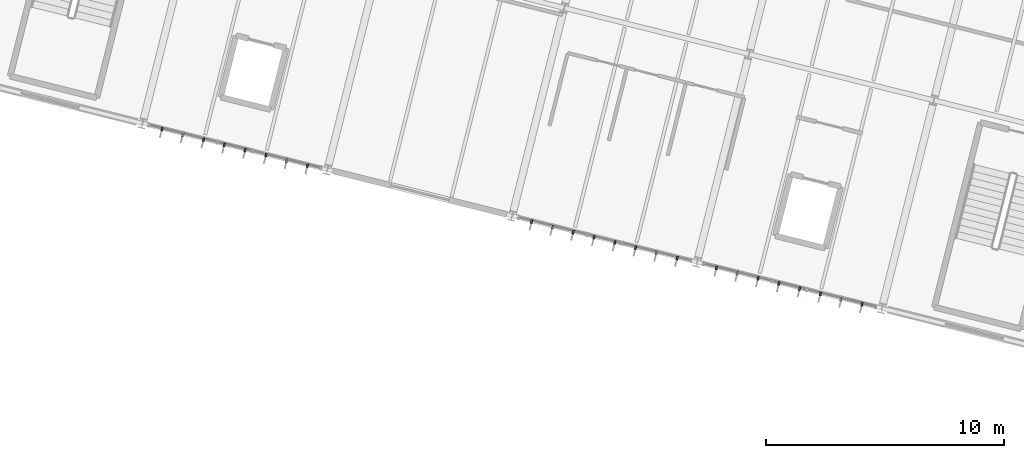
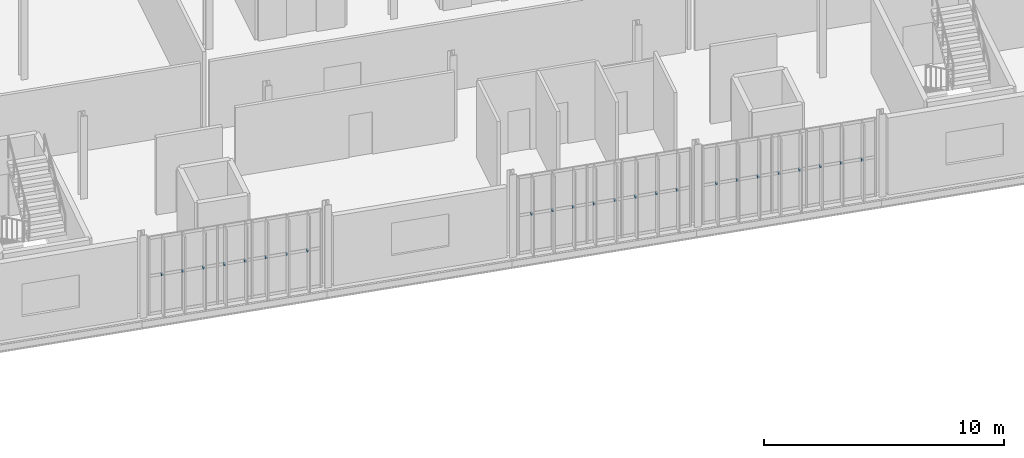
# One storey, part 52 of 61: 24 discrete accessories.
"""IFC4 building model written with IfcOpenShell, lengths in metres."""

from ifc_helpers import new_model, si_unit, derived_unit, direction, frame, origin, origin_2d, place, context, subcontext, project, spatial, rectangle, extrude, material, type_object, element, save


model = new_model("IFC4")

# Units and contexts
model_context = context("Model", 3, precision=1e-05, world=origin(), true_north=direction((0.0, 1.0)))
body_context = subcontext(model_context, "Body", "Model", "MODEL_VIEW")
ifc_project = project(units=[si_unit("LENGTHUNIT", "METRE"), si_unit("AREAUNIT", "SQUARE_METRE"), si_unit("VOLUMEUNIT", "CUBIC_METRE"), si_unit("PLANEANGLEUNIT", "RADIAN"), si_unit("MASSUNIT", "GRAM", prefix="KILO"), si_unit("THERMODYNAMICTEMPERATUREUNIT", "KELVIN"), si_unit("TIMEUNIT", "SECOND"), derived_unit("THERMALTRANSMITTANCEUNIT", [(si_unit("MASSUNIT", "GRAM", prefix="KILO"), 1), (si_unit("THERMODYNAMICTEMPERATUREUNIT", "KELVIN"), -1), (si_unit("TIMEUNIT", "SECOND"), -3)])], contexts=[model_context])

# Site, building, storey
site_placement = place(None, origin())
site = spatial("IfcSite", under=ifc_project, at=site_placement, CompositionType="ELEMENT")
building_placement = place(site_placement, origin())
building = spatial("IfcBuilding", under=site, at=building_placement, Name="Cambertide Market Hall", CompositionType="ELEMENT")
storey_placement = place(building_placement, frame((0.0, 0.0, 9.89990234375)))
storey = spatial("IfcBuildingStorey", under=building, at=storey_placement, Name="L03", CompositionType="ELEMENT", Elevation=9.89990234375)

# Discrete accessories
ifc_material = material(Name="Stainless Steel Grade 316", Category="metal")
discrete_accessory_type = type_object("IfcDiscreteAccessoryType", Name="Stainless Fin Outrigger Tie Bracket", PredefinedType="BRACKET", material=ifc_material)
for number, where, z_axis, x_axis, name in (
    (1, (130.44921875, 94.346435546875, 1.920166015625), (0.0, 0.0, 1.0), (-0.970142531436, 0.242535499875, 0.0), "CW-V4S-L03-3 Fin Tie Bracket 1"),
    (2, (129.575927734375, 94.564697265625, 1.920166015625), (0.0, 0.0, 1.0), (-0.970142531436, 0.242535499875, 0.0), "CW-V4S-L03-3 Fin Tie Bracket 2"),
    (3, (128.702880859375, 94.782958984375, 1.920166015625), (0.0, 0.0, 1.0), (-0.970142531436, 0.242535499875, 0.0), "CW-V4S-L03-3 Fin Tie Bracket 3"),
    (4, (127.829833984375, 95.001220703125, 1.920166015625), (0.0, 0.0, 1.0), (-0.970142531436, 0.242535499875, 0.0), "CW-V4S-L03-3 Fin Tie Bracket 4"),
    (5, (126.95654296875, 95.2197265625, 1.920166015625), (0.0, 0.0, 1.0), (-0.970142531436, 0.242535499875, 0.0), "CW-V4S-L03-3 Fin Tie Bracket 5"),
    (6, (126.08349609375, 95.43798828125, 1.920166015625), (0.0, 0.0, 1.0), (-0.970142531436, 0.242535499875, 0.0), "CW-V4S-L03-3 Fin Tie Bracket 6"),
    (7, (125.21044921875, 95.65625, 1.920166015625), (0.0, 0.0, 1.0), (-0.970142531436, 0.242535499875, 0.0), "CW-V4S-L03-3 Fin Tie Bracket 7"),
    (8, (124.337158203125, 95.87451171875, 1.920166015625), (0.0, 0.0, 1.0), (-0.970142531436, 0.242535499875, 0.0), "CW-V4S-L03-3 Fin Tie Bracket 8"),
    (9, (145.971435546875, 90.4658203125, 1.920166015625), (0.0, 0.0, 1.0), (-0.970142531436, 0.242535499875, 0.0), "CW-V4S-L03-5 Fin Tie Bracket 1"),
    (10, (145.09814453125, 90.684326171875, 1.920166015625), (0.0, 0.0, 1.0), (-0.970142531436, 0.242535499875, 0.0), "CW-V4S-L03-5 Fin Tie Bracket 2"),
    (11, (144.22509765625, 90.902587890625, 1.920166015625), (0.0, 0.0, 1.0), (-0.970142531436, 0.242535499875, 0.0), "CW-V4S-L03-5 Fin Tie Bracket 3"),
    (12, (143.35205078125, 91.120849609375, 1.920166015625), (0.0, 0.0, 1.0), (-0.970142531436, 0.242535499875, 0.0), "CW-V4S-L03-5 Fin Tie Bracket 4"),
    (13, (142.478759765625, 91.339111328125, 1.920166015625), (0.0, 0.0, 1.0), (-0.970142531436, 0.242535499875, 0.0), "CW-V4S-L03-5 Fin Tie Bracket 5"),
    (14, (141.605712890625, 91.557373046875, 1.920166015625), (0.0, 0.0, 1.0), (-0.970142531436, 0.242535499875, 0.0), "CW-V4S-L03-5 Fin Tie Bracket 6"),
    (15, (140.732666015625, 91.775634765625, 1.920166015625), (0.0, 0.0, 1.0), (-0.970142531436, 0.242535499875, 0.0), "CW-V4S-L03-5 Fin Tie Bracket 7"),
    (16, (139.859375, 91.993896484375, 1.920166015625), (0.0, 0.0, 1.0), (-0.970142531436, 0.242535499875, 0.0), "CW-V4S-L03-5 Fin Tie Bracket 8"),
    (17, (153.732421875, 88.525634765625, 1.920166015625), (0.0, 0.0, 1.0), (-0.970142531436, 0.242535499875, 0.0), "CW-V4S-L03-6 Fin Tie Bracket 1"),
    (18, (152.859375, 88.743896484375, 1.920166015625), (0.0, 0.0, 1.0), (-0.970142531436, 0.242535499875, 0.0), "CW-V4S-L03-6 Fin Tie Bracket 2"),
    (19, (151.986328125, 88.962158203125, 1.920166015625), (0.0, 0.0, 1.0), (-0.970142531436, 0.242535499875, 0.0), "CW-V4S-L03-6 Fin Tie Bracket 3"),
    (20, (151.113037109375, 89.180419921875, 1.920166015625), (0.0, 0.0, 1.0), (-0.970142531436, 0.242535499875, 0.0), "CW-V4S-L03-6 Fin Tie Bracket 4"),
    (21, (150.239990234375, 89.398681640625, 1.920166015625), (0.0, 0.0, 1.0), (-0.970142531436, 0.242535499875, 0.0), "CW-V4S-L03-6 Fin Tie Bracket 5"),
    (22, (149.366943359375, 89.616943359375, 1.920166015625), (0.0, 0.0, 1.0), (-0.970142531436, 0.242535499875, 0.0), "CW-V4S-L03-6 Fin Tie Bracket 6"),
    (23, (148.49365234375, 89.83544921875, 1.920166015625), (0.0, 0.0, 1.0), (-0.970142531436, 0.242535499875, 0.0), "CW-V4S-L03-6 Fin Tie Bracket 7"),
    (24, (147.62060546875, 90.0537109375, 1.920166015625), (0.0, 0.0, 1.0), (-0.970142531436, 0.242535499875, 0.0), "CW-V4S-L03-6 Fin Tie Bracket 8"),
):
    element("IfcDiscreteAccessory", number, at=place(storey_placement, frame(where, z_axis=z_axis, x_axis=x_axis)), inside=storey, type_object=discrete_accessory_type, Name=name, PredefinedType="BRACKET", context=body_context, shape_type="SweptSolid", body=[
        extrude(rectangle(XDim=0.080078125, YDim=0.159912109375, at=origin_2d()), origin(), (0.0, 0.0, 1.0), 0.080078125),
    ])

save(model, "model.ifc")
